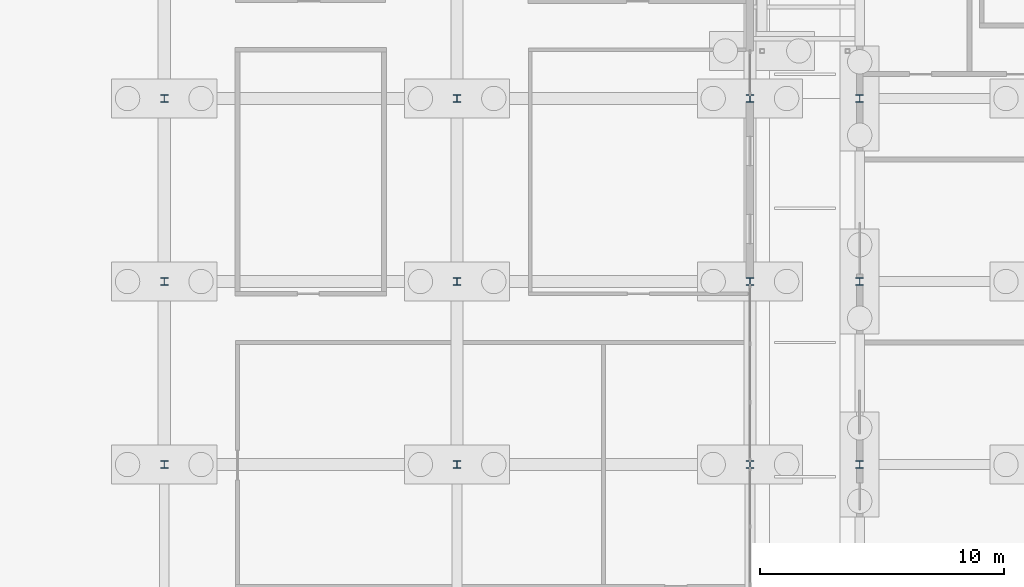
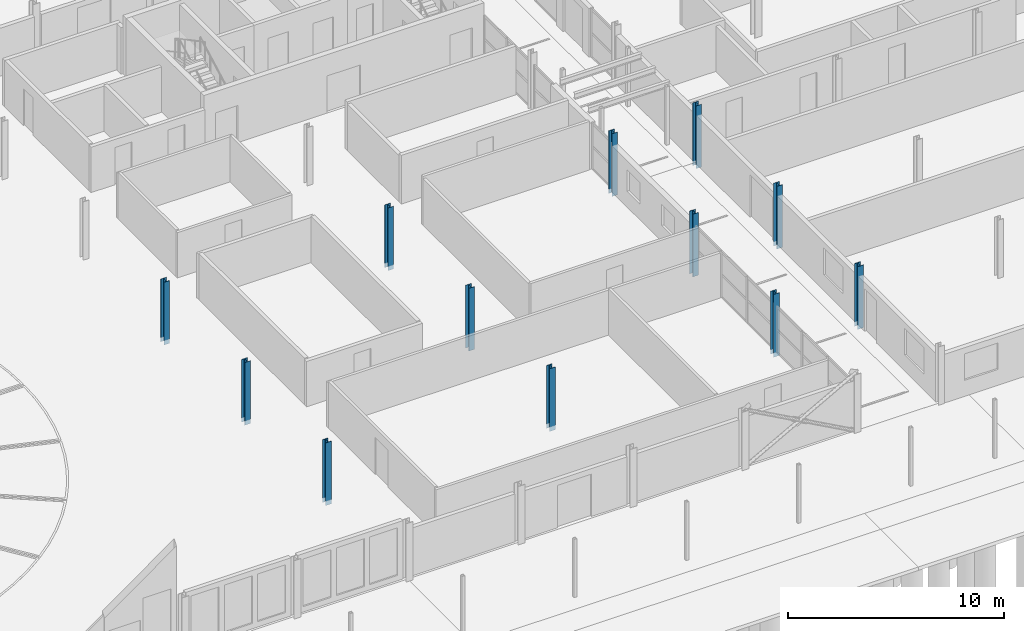
# One storey, part 15 of 130: 12 columns.
"""IFC4 building model written with IfcOpenShell, lengths in metres."""

from ifc_helpers import new_model, si_unit, direction, frame, origin, origin_2d, place, context, subcontext, project, spatial, i_section, extrude, material, material_profile, profile_set, type_object, element, save


model = new_model("IFC4")

# Units and contexts
model_context = context("Model", 3, precision=1e-05, world=origin(), true_north=direction((0.0, 1.0)))
body_context = subcontext(model_context, "Body", "Model", "MODEL_VIEW")
ifc_project = project(units=[si_unit("LENGTHUNIT", "METRE"), si_unit("AREAUNIT", "SQUARE_METRE"), si_unit("VOLUMEUNIT", "CUBIC_METRE"), si_unit("PLANEANGLEUNIT", "RADIAN"), si_unit("MASSUNIT", "GRAM", prefix="KILO")], contexts=[model_context])

# Site, building, storey
site_placement = place(None, origin())
site = spatial("IfcSite", under=ifc_project, at=site_placement, CompositionType="ELEMENT")
building_placement = place(site_placement, origin())
building = spatial("IfcBuilding", under=site, at=building_placement, Name="Parallax Yard Mobility Hub", CompositionType="ELEMENT")
storey_placement = place(building_placement, origin())
storey = spatial("IfcBuildingStorey", under=building, at=storey_placement, Name="L00", CompositionType="ELEMENT", Elevation=0.0)

# Columns
ifc_material = material(Name="Steel ASTM A992", Category="steel")
ifc_material_profile_1 = material_profile(ifc_material, i_section(OverallWidth=0.304931640625, OverallDepth=0.31201171875, WebThickness=0.010986328125, FlangeThickness=0.01708984375, FilletRadius=0.015380859375, at=origin_2d()), Name="W310x107")
ifc_profile_set_1 = profile_set([ifc_material_profile_1], Name="Steel ASTM A992")
column_type_1 = type_object("IfcColumnType", Name="W310x107 column", PredefinedType="COLUMN", material=ifc_profile_set_1)
column_placement = place(storey_placement, frame((69.0, 30.0, -0.25), z_axis=(0.0, 0.0, 1.0), x_axis=(1.0, 0.0, 0.0)))
element("IfcColumn", 1, at=column_placement, inside=storey, type_object=column_type_1, Name="Column C2 level L00 at F11/E of bus and taxi deck", PredefinedType="COLUMN", context=body_context, shape_type="SweptSolid", body=[
    extrude(i_section(OverallWidth=0.304931640625, OverallDepth=0.31201171875, WebThickness=0.010986328125, FlangeThickness=0.01708984375, FilletRadius=0.015380859375, at=origin_2d()), origin(), (0.0, 0.0, 1.0), 3.550048828125),
])
ifc_material_profile_2 = material_profile(ifc_material, i_section(OverallWidth=0.304931640625, OverallDepth=0.306884765625, WebThickness=0.010009765625, FlangeThickness=0.015380859375, FilletRadius=0.01513671875, at=origin_2d()), Name="W310x97")
ifc_profile_set_2 = profile_set([ifc_material_profile_2], Name="Steel ASTM A992")
column_type_2 = type_object("IfcColumnType", Name="W310x97 column", PredefinedType="COLUMN", material=ifc_profile_set_2)
for number, where, z_axis, x_axis, name in (
    (2, (69.0, 15.0, -0.25), (0.0, 0.0, 1.0), (1.0, 0.0, 0.0), "Column C1 level L00 at F11/C of bus and taxi deck"),
    (3, (69.0, 22.5, -0.25), (0.0, 0.0, 1.0), (1.0, 0.0, 0.0), "Column C1 level L00 at F11/D of bus and taxi deck"),
    (4, (81.0, 15.0, -0.25), (0.0, 0.0, 1.0), (1.0, 0.0, 0.0), "Column C1 level L00 at F13/C of bus and taxi deck"),
    (5, (81.0, 22.5, -0.25), (0.0, 0.0, 1.0), (1.0, 0.0, 0.0), "Column C1 level L00 at F13/D of bus and taxi deck"),
    (6, (81.0, 30.0, -0.25), (0.0, 0.0, 1.0), (1.0, 0.0, 0.0), "Column C1 level L00 at F13/E of bus and taxi deck"),
    (7, (93.0, 15.0, -0.25), (0.0, 0.0, 1.0), (1.0, 0.0, 0.0), "Column C1 level L00 at F15/C of bus and taxi deck"),
    (8, (93.0, 22.5, -0.25), (0.0, 0.0, 1.0), (1.0, 0.0, 0.0), "Column C1 level L00 at F15/D of bus and taxi deck"),
    (9, (93.0, 30.0, -0.25), (0.0, 0.0, 1.0), (1.0, 0.0, 0.0), "Column C1 level L00 at F15/E of bus and taxi deck"),
    (10, (97.5, 15.0, -0.25), (0.0, 0.0, 1.0), (1.0, 0.0, 0.0), "Column C1 level L00 at C/14 of mobility service centre and workshops"),
    (11, (97.5, 22.5, -0.25), (0.0, 0.0, 1.0), (1.0, 0.0, 0.0), "Column C1 level L00 at D/14 of mobility service centre and workshops"),
    (12, (97.5, 30.0, -0.25), (0.0, 0.0, 1.0), (1.0, 0.0, 0.0), "Column C1 level L00 at E/14 of mobility service centre and workshops"),
):
    element("IfcColumn", number, at=place(storey_placement, frame(where, z_axis=z_axis, x_axis=x_axis)), inside=storey, type_object=column_type_2, Name=name, PredefinedType="COLUMN", context=body_context, shape_type="SweptSolid", body=[
        extrude(i_section(OverallWidth=0.304931640625, OverallDepth=0.306884765625, WebThickness=0.010009765625, FlangeThickness=0.015380859375, FilletRadius=0.01513671875, at=origin_2d()), origin(), (0.0, 0.0, 1.0), 3.550048828125),
    ])

save(model, "model.ifc")
